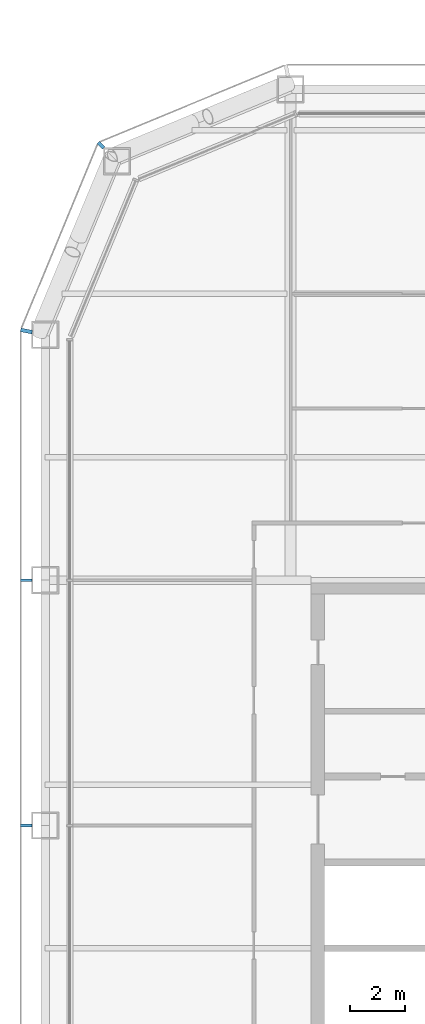
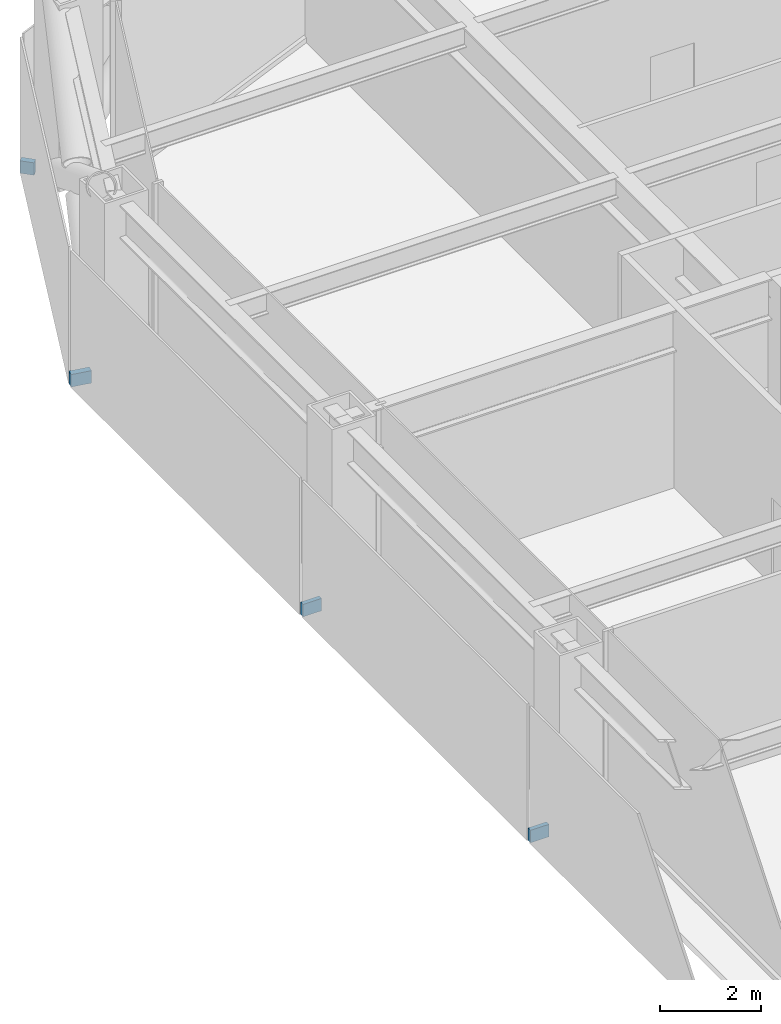
# One storey, part 19 of 30: 4 discrete accessories.
"""IFC4 building model written with IfcOpenShell, lengths in metres."""

from ifc_helpers import new_model, si_unit, direction, frame, origin, origin_2d, place, context, subcontext, project, spatial, rectangle, extrude, material, type_object, element, save


model = new_model("IFC4")

# Units and contexts
model_context = context("Model", 3, precision=1e-05, world=origin(), true_north=direction((0.0, 1.0)))
body_context = subcontext(model_context, "Body", "Model", "MODEL_VIEW")
ifc_project = project(units=[si_unit("LENGTHUNIT", "METRE"), si_unit("AREAUNIT", "SQUARE_METRE"), si_unit("VOLUMEUNIT", "CUBIC_METRE"), si_unit("PLANEANGLEUNIT", "RADIAN"), si_unit("MASSUNIT", "GRAM", prefix="KILO")], contexts=[model_context])

# Site, building, storey
site_placement = place(None, origin())
site = spatial("IfcSite", under=ifc_project, at=site_placement, CompositionType="ELEMENT")
building_placement = place(site_placement, origin())
building = spatial("IfcBuilding", under=site, at=building_placement, Name="Siwar Civic Tower", CompositionType="ELEMENT")
storey_placement = place(building_placement, frame((0.0, 0.0, 62.699951171875)))
storey = spatial("IfcBuildingStorey", under=building, at=storey_placement, Name="L13", CompositionType="ELEMENT", Elevation=62.699951171875)

# Discrete accessories
ifc_material = material(Name="Stainless steel 316", Category="steel")
discrete_accessory_type = type_object("IfcDiscreteAccessoryType", Name="ENV-BRACKET", PredefinedType="BRACKET", material=ifc_material)
discrete_accessory_1_placement = place(storey_placement, frame((-29.451416015625, 29.451416015625, -0.14990234375), z_axis=(0.0, 0.0, 1.0), x_axis=(-0.707106781187, 0.707106781187, 0.0)))
element("IfcDiscreteAccessory", 1, at=discrete_accessory_1_placement, inside=storey, type_object=discrete_accessory_type, Name="Bracket outer skin joint V08", PredefinedType="BRACKET", context=body_context, shape_type="SweptSolid", body=[
    extrude(rectangle(XDim=0.287109375, YDim=0.12939453125, at=origin_2d()), origin(), (0.0, 0.0, 1.0), 0.300048828125),
])
discrete_accessory_2_placement = place(storey_placement, frame((-32.190185546875, 22.63720703125, -0.14990234375), z_axis=(0.0, 0.0, 1.0), x_axis=(-0.980785280403, 0.195090322016, 0.0)))
element("IfcDiscreteAccessory", 2, at=discrete_accessory_2_placement, inside=storey, type_object=discrete_accessory_type, Name="Bracket outer skin joint V09", PredefinedType="BRACKET", context=body_context, shape_type="SweptSolid", body=[
    extrude(rectangle(XDim=0.427734375, YDim=0.13720703125, at=origin_2d()), origin(), (0.0, 0.0, 1.0), 0.300048828125),
])
for number, where, z_axis, x_axis, name in (
    (3, (-32.18994140625, 13.5, -0.14990234375), (0.0, 0.0, 1.0), (-1.0, 0.0, 0.0), "Bracket outer skin joint W-01"),
    (4, (-32.18994140625, 4.5, -0.14990234375), (0.0, 0.0, 1.0), (-1.0, 0.0, 0.0), "Bracket outer skin joint W-02"),
):
    element("IfcDiscreteAccessory", number, at=place(storey_placement, frame(where, z_axis=z_axis, x_axis=x_axis)), inside=storey, type_object=discrete_accessory_type, Name=name, PredefinedType="BRACKET", context=body_context, shape_type="SweptSolid", body=[
        extrude(rectangle(XDim=0.419921875, YDim=0.10009765625, at=origin_2d()), origin(), (0.0, 0.0, 1.0), 0.300048828125),
    ])

save(model, "model.ifc")
